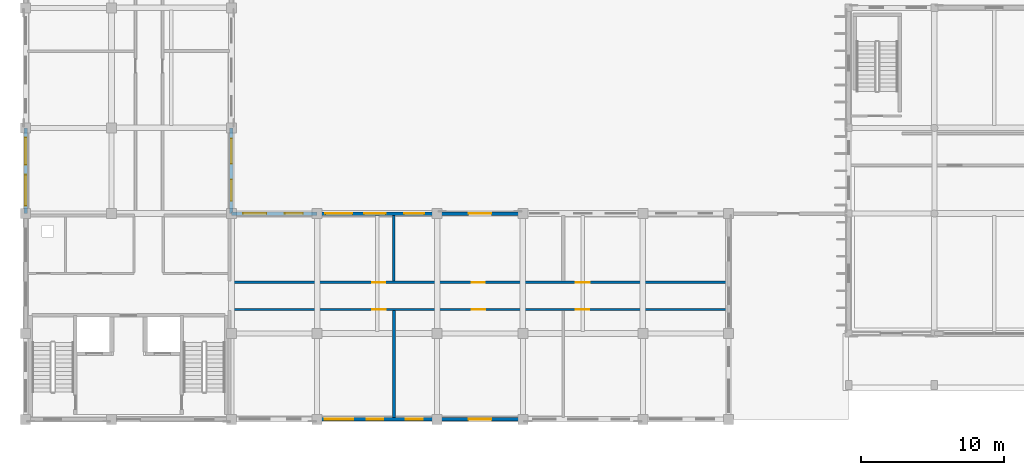
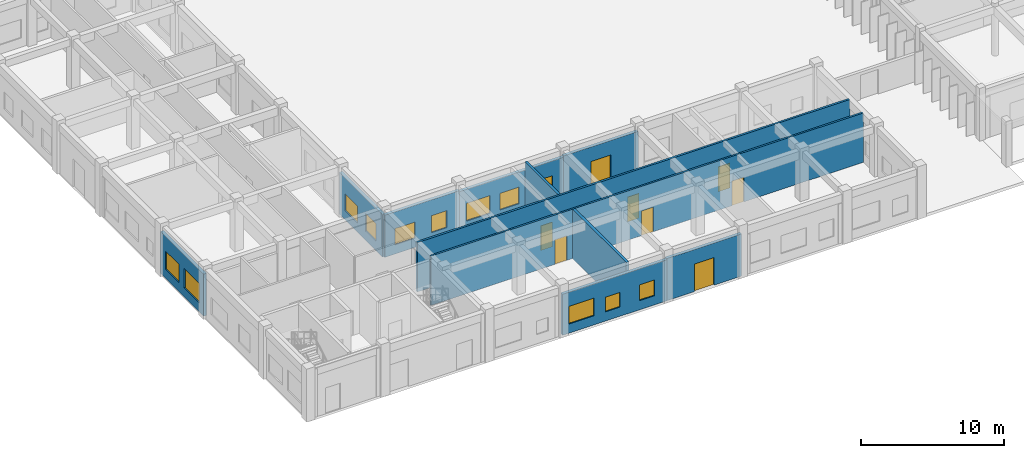
# One storey, part 27 of 67: 12 windows, 11 walls, 8 doors, 20 openings.
"""IFC4 building model written with IfcOpenShell, lengths in metres."""

from ifc_helpers import new_model, si_unit, direction, frame, frame_2d, origin, place, context, subcontext, project, spatial, rectangle, extrude, material, layer, layer_set, type_object, element, fill, save


model = new_model("IFC4")

# Units and contexts
model_context = context("Model", 3, precision=1e-05, world=origin(), true_north=direction((0.0, 1.0)))
body_context = subcontext(model_context, "Body", "Model", "MODEL_VIEW")
ifc_project = project(units=[si_unit("LENGTHUNIT", "METRE"), si_unit("AREAUNIT", "SQUARE_METRE"), si_unit("VOLUMEUNIT", "CUBIC_METRE"), si_unit("PLANEANGLEUNIT", "RADIAN"), si_unit("MASSUNIT", "GRAM", prefix="KILO"), si_unit("THERMODYNAMICTEMPERATUREUNIT", "KELVIN")], contexts=[model_context])

# Site, building, storey
site_placement = place(None, origin())
site = spatial("IfcSite", under=ifc_project, at=site_placement, CompositionType="ELEMENT")
building_placement = place(site_placement, origin())
building = spatial("IfcBuilding", under=site, at=building_placement, Name="Thalorik Housing Commons", CompositionType="ELEMENT")
storey_placement = place(building_placement, origin())
storey = spatial("IfcBuildingStorey", under=building, at=storey_placement, Name="L00", CompositionType="ELEMENT", Elevation=0.0)

# Wall, openings, doors
ifc_material_1 = material(Name="Masonry fire-rated corridor wall", Category="masonry")
ifc_layer_1 = layer(ifc_material_1, 0.14990234375, Name="Masonry fire-rated corridor wall", Category="masonry")
ifc_layer_set_1 = layer_set([ifc_layer_1], Name="Masonry fire-rated corridor wall")
wall_type_1 = type_object("IfcWallType", Name="ARC-WAL-CORR-150", PredefinedType="PARTITIONING", material=ifc_layer_set_1)
wall_1_placement = place(storey_placement, frame((22.659912109375, 16.080078125, 0.0), z_axis=(0.0, 0.0, 1.0), x_axis=(1.0, 0.0, 0.0)))
wall_1 = element("IfcWall", 1, at=wall_1_placement, inside=storey, type_object=wall_type_1, Name="L00 Block C S Corridor Wall 1", PredefinedType="PARTITIONING", context=body_context, shape_type="SweptSolid", body=[
    extrude(rectangle(XDim=34.815673828125, YDim=0.14990234375, at=frame_2d((17.40771484375, 0.0))), origin(), (0.0, 0.0, 1.0), 4.199951171875),
])
opening_1_placement = place(wall_1_placement, frame((9.99560546875, 0.0, 0.0)))
opening_1 = element("IfcOpeningElement", 2, at=opening_1_placement, cuts=wall_1, Name="Opening ID-1580", PredefinedType="OPENING", context=body_context, shape_type="SweptSolid", body=[
    extrude(rectangle(XDim=0.949951171875, YDim=2.10009765625, at=frame_2d((0.47509765625, 1.050048828125))), frame((0.0, 0.0849609375, 0.0), z_axis=(0.0, -1.0, 0.0), x_axis=(1.0, 0.0, 0.0)), (0.0, 0.0, 1.0), 0.169921875),
])
opening_2_placement = place(wall_1_placement, frame((16.965087890625, 0.0, 0.0)))
opening_2 = element("IfcOpeningElement", 3, at=opening_2_placement, cuts=wall_1, Name="Opening ID-1581", PredefinedType="OPENING", context=body_context, shape_type="SweptSolid", body=[
    extrude(rectangle(XDim=0.949951171875, YDim=2.10009765625, at=frame_2d((0.47509765625, 1.050048828125))), frame((0.0, 0.0849609375, 0.0), z_axis=(0.0, -1.0, 0.0), x_axis=(1.0, 0.0, 0.0)), (0.0, 0.0, 1.0), 0.169921875),
])
opening_3_placement = place(wall_1_placement, frame((24.248779296875, 0.0, 0.0)))
opening_3 = element("IfcOpeningElement", 4, at=opening_3_placement, cuts=wall_1, Name="Opening ID-1582", PredefinedType="OPENING", context=body_context, shape_type="SweptSolid", body=[
    extrude(rectangle(XDim=0.949951171875, YDim=2.10009765625, at=frame_2d((0.47509765625, 1.050048828125))), frame((0.0, 0.0849609375, 0.0), z_axis=(0.0, -1.0, 0.0), x_axis=(1.0, 0.0, 0.0)), (0.0, 0.0, 1.0), 0.169921875),
])
ifc_material_2 = material(Name="Steel S355", Category="steel")
door_type_1 = type_object("IfcDoorType", Name="ARC-DR-FD60-950", OperationType="NOTDEFINED", PredefinedType="DOOR", material=ifc_material_2)
door_1_placement = place(opening_1_placement, origin())
door_1 = element("IfcDoor", 5, at=door_1_placement, inside=storey, type_object=door_type_1, Name="L00 Residents Lounge Entrance Door", OperationType="SINGLE_SWING_LEFT", OverallHeight=2.10009765625, OverallWidth=0.949951171875, PredefinedType="DOOR", context=body_context, shape_type="SweptSolid", body=[
    extrude(rectangle(XDim=0.949951171875, YDim=2.10009765625, at=frame_2d((0.47509765625, 1.050048828125))), frame((0.0, 0.02490234375, 0.0), z_axis=(0.0, -1.0, 0.0), x_axis=(1.0, 0.0, 0.0)), (0.0, 0.0, 1.0), 0.050048828125),
])
fill(opening_1, door_1)
door_2_placement = place(opening_2_placement, origin())
door_2 = element("IfcDoor", 6, at=door_2_placement, inside=storey, type_object=door_type_1, Name="L00 Bicycle Repair Workshop Entrance Door", OperationType="SINGLE_SWING_RIGHT", OverallHeight=2.10009765625, OverallWidth=0.949951171875, PredefinedType="DOOR", context=body_context, shape_type="SweptSolid", body=[
    extrude(rectangle(XDim=0.949951171875, YDim=2.10009765625, at=frame_2d((0.47509765625, 1.050048828125))), frame((0.0, 0.02490234375, 0.0), z_axis=(0.0, -1.0, 0.0), x_axis=(1.0, 0.0, 0.0)), (0.0, 0.0, 1.0), 0.050048828125),
])
fill(opening_2, door_2)
door_3_placement = place(opening_3_placement, origin())
door_3 = element("IfcDoor", 7, at=door_3_placement, inside=storey, type_object=door_type_1, Name="L00 Cooperative Parcel Room Entrance Door", OperationType="SINGLE_SWING_LEFT", OverallHeight=2.10009765625, OverallWidth=0.949951171875, PredefinedType="DOOR", context=body_context, shape_type="SweptSolid", body=[
    extrude(rectangle(XDim=0.949951171875, YDim=2.10009765625, at=frame_2d((0.47509765625, 1.050048828125))), frame((0.0, 0.02490234375, 0.0), z_axis=(0.0, -1.0, 0.0), x_axis=(1.0, 0.0, 0.0)), (0.0, 0.0, 1.0), 0.050048828125),
])
fill(opening_3, door_3)

ifc_layer_2 = layer(ifc_material_1, 0.1650390625, Name="Masonry fire-rated corridor wall", Category="masonry")
ifc_layer_set_2 = layer_set([ifc_layer_2], Name="Masonry fire-rated corridor wall")
wall_type_2 = type_object("IfcWallType", Name="ARC-WAL-CORR-165", PredefinedType="PARTITIONING", material=ifc_layer_set_2)
wall_2_placement = place(storey_placement, frame((22.659912109375, 17.97998046875, 0.0), z_axis=(0.0, 0.0, 1.0), x_axis=(1.0, 0.0, 0.0)))
wall_2 = element("IfcWall", 8, at=wall_2_placement, inside=storey, type_object=wall_type_2, Name="L00 Block C S Corridor Wall 2", PredefinedType="PARTITIONING", context=body_context, shape_type="SweptSolid", body=[
    extrude(rectangle(XDim=34.815673828125, YDim=0.1650390625, at=frame_2d((17.40771484375, 0.0))), origin(), (0.0, 0.0, 1.0), 4.199951171875),
])
opening_4_placement = place(wall_2_placement, frame((9.98583984375, 0.0, 0.0)))
opening_4 = element("IfcOpeningElement", 9, at=opening_4_placement, cuts=wall_2, Name="Opening ID-1583", PredefinedType="OPENING", context=body_context, shape_type="SweptSolid", body=[
    extrude(rectangle(XDim=0.919921875, YDim=2.10009765625, at=frame_2d((0.4599609375, 1.050048828125))), frame((0.0, 0.092529296875, 0.0), z_axis=(0.0, -1.0, 0.0), x_axis=(1.0, 0.0, 0.0)), (0.0, 0.0, 1.0), 0.18505859375),
])
opening_5_placement = place(wall_2_placement, frame((16.9599609375, 0.0, 0.0)))
opening_5 = element("IfcOpeningElement", 10, at=opening_5_placement, cuts=wall_2, Name="Opening ID-1584", PredefinedType="OPENING", context=body_context, shape_type="SweptSolid", body=[
    extrude(rectangle(XDim=0.919921875, YDim=2.10009765625, at=frame_2d((0.4599609375, 1.050048828125))), frame((0.0, 0.092529296875, 0.0), z_axis=(0.0, -1.0, 0.0), x_axis=(1.0, 0.0, 0.0)), (0.0, 0.0, 1.0), 0.18505859375),
])
opening_6_placement = place(wall_2_placement, frame((24.248046875, 0.0, 0.0)))
opening_6 = element("IfcOpeningElement", 11, at=opening_6_placement, cuts=wall_2, Name="Opening ID-1585", PredefinedType="OPENING", context=body_context, shape_type="SweptSolid", body=[
    extrude(rectangle(XDim=0.9599609375, YDim=2.1201171875, at=frame_2d((0.47998046875, 1.06005859375))), frame((0.0, 0.092529296875, 0.0), z_axis=(0.0, -1.0, 0.0), x_axis=(1.0, 0.0, 0.0)), (0.0, 0.0, 1.0), 0.18505859375),
])
ifc_material_3 = material(Name="Solid core hardwood timber", Category="wood")
door_type_2 = type_object("IfcDoorType", Name="ARC-DR-FD30-920", OperationType="NOTDEFINED", PredefinedType="DOOR", material=ifc_material_3)
door_4_placement = place(opening_4_placement, origin())
door_4 = element("IfcDoor", 12, at=door_4_placement, inside=storey, type_object=door_type_2, Name="L00 Residents Cooperative Library Door", OperationType="SINGLE_SWING_RIGHT", OverallHeight=2.10009765625, OverallWidth=0.919921875, PredefinedType="DOOR", context=body_context, shape_type="SweptSolid", body=[
    extrude(rectangle(XDim=0.919921875, YDim=2.10009765625, at=frame_2d((0.4599609375, 1.050048828125))), frame((0.0, 0.02490234375, 0.0), z_axis=(0.0, -1.0, 0.0), x_axis=(1.0, 0.0, 0.0)), (0.0, 0.0, 1.0), 0.050048828125),
])
fill(opening_4, door_4)
door_5_placement = place(opening_5_placement, origin())
door_5 = element("IfcDoor", 13, at=door_5_placement, inside=storey, type_object=door_type_2, Name="L00 Community Youth Studio Door", OperationType="SINGLE_SWING_LEFT", OverallHeight=2.10009765625, OverallWidth=0.919921875, PredefinedType="DOOR", context=body_context, shape_type="SweptSolid", body=[
    extrude(rectangle(XDim=0.919921875, YDim=2.10009765625, at=frame_2d((0.4599609375, 1.050048828125))), frame((0.0, 0.02490234375, 0.0), z_axis=(0.0, -1.0, 0.0), x_axis=(1.0, 0.0, 0.0)), (0.0, 0.0, 1.0), 0.050048828125),
])
fill(opening_5, door_5)
door_type_3 = type_object("IfcDoorType", Name="ARC-DR-FD30-960", OperationType="NOTDEFINED", PredefinedType="DOOR", material=ifc_material_3)
door_6_placement = place(opening_6_placement, origin())
door_6 = element("IfcDoor", 14, at=door_6_placement, inside=storey, type_object=door_type_3, Name="L00 Senior Day Lounge Door", OperationType="SINGLE_SWING_RIGHT", OverallHeight=2.1201171875, OverallWidth=0.9599609375, PredefinedType="DOOR", context=body_context, shape_type="SweptSolid", body=[
    extrude(rectangle(XDim=0.9599609375, YDim=2.1201171875, at=frame_2d((0.47998046875, 1.06005859375))), frame((0.0, 0.02490234375, 0.0), z_axis=(0.0, -1.0, 0.0), x_axis=(1.0, 0.0, 0.0)), (0.0, 0.0, 1.0), 0.050048828125),
])
fill(opening_6, door_6)

# Wall, openings, windows
ifc_material_4 = material(Name="White precast concrete C40/50", Category="concrete")
ifc_layer_3 = layer(ifc_material_4, 0.2451171875, Name="White precast concrete C40/50", Category="concrete")
ifc_layer_set_3 = layer_set([ifc_layer_3], Name="White precast concrete C40/50")
wall_type_3 = type_object("IfcWallType", Name="ARC-WAL-EXT-245", PredefinedType="STANDARD", material=ifc_layer_set_3)
wall_3_placement = place(storey_placement, frame((22.800048828125, 22.800048828125, 0.0), z_axis=(0.0, 0.0, 1.0), x_axis=(0.0, 1.0, 0.0)))
wall_3 = element("IfcWall", 15, at=wall_3_placement, inside=storey, type_object=wall_type_3, Name="L00 Exterior Wall WAL-EXT-L00-C-0821", PredefinedType="STANDARD", context=body_context, shape_type="SweptSolid", body=[
    extrude(rectangle(XDim=6.0, YDim=0.2451171875, at=frame_2d((3.0, 0.0))), origin(), (0.0, 0.0, 1.0), 3.5849609375),
])
opening_7_placement = place(wall_3_placement, frame((0.8798828125, 0.0, 0.780029296875)))
opening_7 = element("IfcOpeningElement", 16, at=opening_7_placement, cuts=wall_3, Name="Opening W-10", PredefinedType="OPENING", context=body_context, shape_type="SweptSolid", body=[
    extrude(rectangle(XDim=1.5, YDim=1.5, at=frame_2d((0.75, 0.75))), frame((0.0, 0.132568359375, 0.0), z_axis=(0.0, -1.0, 0.0), x_axis=(1.0, 0.0, 0.0)), (0.0, 0.0, 1.0), 0.26513671875),
])
opening_8_placement = place(wall_3_placement, frame((3.4951171875, 0.0, 0.780029296875)))
opening_8 = element("IfcOpeningElement", 17, at=opening_8_placement, cuts=wall_3, Name="Opening W-17", PredefinedType="OPENING", context=body_context, shape_type="SweptSolid", body=[
    extrude(rectangle(XDim=1.75, YDim=1.449951171875, at=frame_2d((0.875, 0.72509765625))), frame((0.0, 0.132568359375, 0.0), z_axis=(0.0, -1.0, 0.0), x_axis=(1.0, 0.0, 0.0)), (0.0, 0.0, 1.0), 0.26513671875),
])
ifc_material_5 = material(Name="Anodised aluminium and solar-control low-E glass", Category="aluminium")
window_type_1 = type_object("IfcWindowType", Name="ARC-WIN-10", PartitioningType="SINGLE_PANEL", PredefinedType="WINDOW", material=ifc_material_5)
window_1_placement = place(opening_7_placement, origin())
window_1 = element("IfcWindow", 18, at=window_1_placement, inside=storey, type_object=window_type_1, Name="L00 Facade Window 1520", OverallHeight=1.5, OverallWidth=1.5, PartitioningType="SINGLE_PANEL", PredefinedType="WINDOW", context=body_context, shape_type="SweptSolid", body=[
    extrude(rectangle(XDim=1.5, YDim=1.5, at=frame_2d((0.75, 0.75))), frame((0.0, 0.030029296875, 0.0), z_axis=(0.0, -1.0, 0.0), x_axis=(1.0, 0.0, 0.0)), (0.0, 0.0, 1.0), 0.06005859375),
])
fill(opening_7, window_1)
window_type_2 = type_object("IfcWindowType", Name="ARC-WIN-17", PartitioningType="DOUBLE_PANEL_VERTICAL", PredefinedType="WINDOW", material=ifc_material_5)
window_2_placement = place(opening_8_placement, origin())
window_2 = element("IfcWindow", 19, at=window_2_placement, inside=storey, type_object=window_type_2, Name="L00 Facade Window 1521", OverallHeight=1.449951171875, OverallWidth=1.75, PartitioningType="DOUBLE_PANEL_VERTICAL", PredefinedType="WINDOW", context=body_context, shape_type="SweptSolid", body=[
    extrude(rectangle(XDim=1.75, YDim=1.449951171875, at=frame_2d((0.875, 0.72509765625))), frame((0.0, 0.030029296875, 0.0), z_axis=(0.0, -1.0, 0.0), x_axis=(1.0, 0.0, 0.0)), (0.0, 0.0, 1.0), 0.06005859375),
])
fill(opening_8, window_2)

wall_4_placement = place(storey_placement, frame((8.39990234375, 28.800048828125, 0.0), z_axis=(0.0, 0.0, 1.0), x_axis=(0.0, -1.0, 0.0)))
wall_4 = element("IfcWall", 20, at=wall_4_placement, inside=storey, type_object=wall_type_3, Name="L00 Exterior Wall WAL-EXT-L00-C-0832", PredefinedType="STANDARD", context=body_context, shape_type="SweptSolid", body=[
    extrude(rectangle(XDim=6.0, YDim=0.2451171875, at=frame_2d((3.0, 0.0))), origin(), (0.0, 0.0, 1.0), 3.5849609375),
])
opening_9_placement = place(wall_4_placement, frame((0.679931640625, 0.0, 0.780029296875)))
opening_9 = element("IfcOpeningElement", 21, at=opening_9_placement, cuts=wall_4, Name="Opening W-21", PredefinedType="OPENING", context=body_context, shape_type="SweptSolid", body=[
    extrude(rectangle(XDim=1.89990234375, YDim=1.550048828125, at=frame_2d((0.949951171875, 0.77490234375))), frame((0.0, 0.132568359375, 0.0), z_axis=(0.0, -1.0, 0.0), x_axis=(1.0, 0.0, 0.0)), (0.0, 0.0, 1.0), 0.26513671875),
])
opening_10_placement = place(wall_4_placement, frame((3.294921875, 0.0, 0.780029296875)))
opening_10 = element("IfcOpeningElement", 22, at=opening_10_placement, cuts=wall_4, Name="Opening W-28", PredefinedType="OPENING", context=body_context, shape_type="SweptSolid", body=[
    extrude(rectangle(XDim=2.14990234375, YDim=1.64990234375, at=frame_2d((1.074951171875, 0.824951171875))), frame((0.0, 0.132568359375, 0.0), z_axis=(0.0, -1.0, 0.0), x_axis=(1.0, 0.0, 0.0)), (0.0, 0.0, 1.0), 0.26513671875),
])
window_type_3 = type_object("IfcWindowType", Name="ARC-WIN-21", PartitioningType="DOUBLE_PANEL_VERTICAL", PredefinedType="WINDOW", material=ifc_material_5)
window_3_placement = place(opening_9_placement, origin())
window_3 = element("IfcWindow", 23, at=window_3_placement, inside=storey, type_object=window_type_3, Name="L00 Facade Window 1543", OverallHeight=1.550048828125, OverallWidth=1.89990234375, PartitioningType="DOUBLE_PANEL_VERTICAL", PredefinedType="WINDOW", context=body_context, shape_type="SweptSolid", body=[
    extrude(rectangle(XDim=1.89990234375, YDim=1.550048828125, at=frame_2d((0.949951171875, 0.77490234375))), frame((0.0, 0.030029296875, 0.0), z_axis=(0.0, -1.0, 0.0), x_axis=(1.0, 0.0, 0.0)), (0.0, 0.0, 1.0), 0.06005859375),
])
fill(opening_9, window_3)
window_type_4 = type_object("IfcWindowType", Name="ARC-WIN-28", PartitioningType="DOUBLE_PANEL_VERTICAL", PredefinedType="WINDOW", material=ifc_material_5)
window_4_placement = place(opening_10_placement, origin())
window_4 = element("IfcWindow", 24, at=window_4_placement, inside=storey, type_object=window_type_4, Name="L00 Facade Window 1544", OverallHeight=1.64990234375, OverallWidth=2.14990234375, PartitioningType="DOUBLE_PANEL_VERTICAL", PredefinedType="WINDOW", context=body_context, shape_type="SweptSolid", body=[
    extrude(rectangle(XDim=2.14990234375, YDim=1.64990234375, at=frame_2d((1.074951171875, 0.824951171875))), frame((0.0, 0.030029296875, 0.0), z_axis=(0.0, -1.0, 0.0), x_axis=(1.0, 0.0, 0.0)), (0.0, 0.0, 1.0), 0.06005859375),
])
fill(opening_10, window_4)

wall_5_placement = place(storey_placement, frame((28.800048828125, 8.39990234375, 0.0), z_axis=(0.0, 0.0, 1.0), x_axis=(1.0, 0.0, 0.0)))
wall_5 = element("IfcWall", 25, at=wall_5_placement, inside=storey, type_object=wall_type_3, Name="L00 Exterior Wall WAL-EXT-L00-C-0838", PredefinedType="STANDARD", context=body_context, shape_type="SweptSolid", body=[
    extrude(rectangle(XDim=8.39990234375, YDim=0.2451171875, at=frame_2d((4.199951171875, 0.0))), origin(), (0.0, 0.0, 1.0), 3.485107421875),
])
opening_11_placement = place(wall_5_placement, frame((0.52001953125, 0.0, 0.780029296875)))
opening_11 = element("IfcOpeningElement", 26, at=opening_11_placement, cuts=wall_5, Name="Opening W-23", PredefinedType="OPENING", context=body_context, shape_type="SweptSolid", body=[
    extrude(rectangle(XDim=2.0, YDim=1.5, at=frame_2d((1.0, 0.75))), frame((0.0, 0.132568359375, 0.0), z_axis=(0.0, -1.0, 0.0), x_axis=(1.0, 0.0, 0.0)), (0.0, 0.0, 1.0), 0.26513671875),
])
opening_12_placement = place(wall_5_placement, frame((3.465087890625, 0.0, 0.780029296875)))
opening_12 = element("IfcOpeningElement", 27, at=opening_12_placement, cuts=wall_5, Name="Opening W-45", PredefinedType="OPENING", context=body_context, shape_type="SweptSolid", body=[
    extrude(rectangle(XDim=1.14990234375, YDim=1.25, at=frame_2d((0.574951171875, 0.625))), frame((0.0, 0.132568359375, 0.0), z_axis=(0.0, -1.0, 0.0), x_axis=(1.0, 0.0, 0.0)), (0.0, 0.0, 1.0), 0.26513671875),
])
opening_13_placement = place(wall_5_placement, frame((6.18994140625, 0.0, 0.780029296875)))
opening_13 = element("IfcOpeningElement", 28, at=opening_13_placement, cuts=wall_5, Name="Opening W-04", PredefinedType="OPENING", context=body_context, shape_type="SweptSolid", body=[
    extrude(rectangle(XDim=1.199951171875, YDim=1.35009765625, at=frame_2d((0.60009765625, 0.675048828125))), frame((0.0, 0.132568359375, 0.0), z_axis=(0.0, -1.0, 0.0), x_axis=(1.0, 0.0, 0.0)), (0.0, 0.0, 1.0), 0.26513671875),
])
window_type_5 = type_object("IfcWindowType", Name="ARC-WIN-04", PartitioningType="SINGLE_PANEL", PredefinedType="WINDOW", material=ifc_material_5)
window_5_placement = place(opening_13_placement, origin())
window_5 = element("IfcWindow", 29, at=window_5_placement, inside=storey, type_object=window_type_5, Name="L00 Facade Window 1553", OverallHeight=1.35009765625, OverallWidth=1.199951171875, PartitioningType="SINGLE_PANEL", PredefinedType="WINDOW", context=body_context, shape_type="SweptSolid", body=[
    extrude(rectangle(XDim=1.199951171875, YDim=1.35009765625, at=frame_2d((0.60009765625, 0.675048828125))), frame((0.0, 0.030029296875, 0.0), z_axis=(0.0, -1.0, 0.0), x_axis=(1.0, 0.0, 0.0)), (0.0, 0.0, 1.0), 0.06005859375),
])
fill(opening_13, window_5)
window_type_6 = type_object("IfcWindowType", Name="ARC-WIN-23", PartitioningType="DOUBLE_PANEL_VERTICAL", PredefinedType="WINDOW", material=ifc_material_5)
window_6_placement = place(opening_11_placement, origin())
window_6 = element("IfcWindow", 30, at=window_6_placement, inside=storey, type_object=window_type_6, Name="L00 Facade Window 1551", OverallHeight=1.5, OverallWidth=2.0, PartitioningType="DOUBLE_PANEL_VERTICAL", PredefinedType="WINDOW", context=body_context, shape_type="SweptSolid", body=[
    extrude(rectangle(XDim=2.0, YDim=1.5, at=frame_2d((1.0, 0.75))), frame((0.0, 0.030029296875, 0.0), z_axis=(0.0, -1.0, 0.0), x_axis=(1.0, 0.0, 0.0)), (0.0, 0.0, 1.0), 0.06005859375),
])
fill(opening_11, window_6)
window_type_7 = type_object("IfcWindowType", Name="ARC-WIN-45", PartitioningType="SINGLE_PANEL", PredefinedType="WINDOW", material=ifc_material_5)
window_7_placement = place(opening_12_placement, origin())
window_7 = element("IfcWindow", 31, at=window_7_placement, inside=storey, type_object=window_type_7, Name="L00 Facade Window 1552", OverallHeight=1.25, OverallWidth=1.14990234375, PartitioningType="SINGLE_PANEL", PredefinedType="WINDOW", context=body_context, shape_type="SweptSolid", body=[
    extrude(rectangle(XDim=1.14990234375, YDim=1.25, at=frame_2d((0.574951171875, 0.625))), frame((0.0, 0.030029296875, 0.0), z_axis=(0.0, -1.0, 0.0), x_axis=(1.0, 0.0, 0.0)), (0.0, 0.0, 1.0), 0.06005859375),
])
fill(opening_12, window_7)

# Wall, opening, door
wall_6_placement = place(storey_placement, frame((37.199951171875, 8.39990234375, 0.0), z_axis=(0.0, 0.0, 1.0), x_axis=(1.0, 0.0, 0.0)))
wall_6 = element("IfcWall", 32, at=wall_6_placement, inside=storey, type_object=wall_type_3, Name="L00 Exterior Wall WAL-EXT-L00-C-0839", PredefinedType="STANDARD", context=body_context, shape_type="SweptSolid", body=[
    extrude(rectangle(XDim=6.0, YDim=0.2451171875, at=frame_2d((3.0, 0.0))), origin(), (0.0, 0.0, 1.0), 3.5849609375),
])
opening_14_placement = place(wall_6_placement, frame((2.199951171875, 0.0, 0.0)))
opening_14 = element("IfcOpeningElement", 33, at=opening_14_placement, cuts=wall_6, Name="Opening ED-0286", PredefinedType="OPENING", context=body_context, shape_type="SweptSolid", body=[
    extrude(rectangle(XDim=1.60009765625, YDim=2.35009765625, at=frame_2d((0.800048828125, 1.175048828125))), frame((0.0, 0.132568359375, 0.0), z_axis=(0.0, -1.0, 0.0), x_axis=(1.0, 0.0, 0.0)), (0.0, 0.0, 1.0), 0.26513671875),
])
ifc_material_6 = material(Name="Anodised aluminium and laminated safety glass", Category="aluminium")
door_type_4 = type_object("IfcDoorType", Name="ARC-DR-EXT-LOB-1600", OperationType="NOTDEFINED", PredefinedType="DOOR", material=ifc_material_6)
door_7_placement = place(opening_14_placement, frame((1.60009765625, 0.0, 0.0), z_axis=(0.0, 0.0, 1.0), x_axis=(-1.0, 0.0, 0.0)))
door_7 = element("IfcDoor", 34, at=door_7_placement, inside=storey, type_object=door_type_4, Name="L00 Block C Courtyard Entrance Door", OperationType="DOUBLE_DOOR_SINGLE_SWING", OverallHeight=2.35009765625, OverallWidth=1.60009765625, PredefinedType="DOOR", context=body_context, shape_type="SweptSolid", body=[
    extrude(rectangle(XDim=1.60009765625, YDim=2.35009765625, at=frame_2d((0.800048828125, 1.175048828125))), frame((0.0, 0.02490234375, 0.0), z_axis=(0.0, -1.0, 0.0), x_axis=(1.0, 0.0, 0.0)), (0.0, 0.0, 1.0), 0.050048828125),
])
fill(opening_14, door_7)

wall_7_placement = place(storey_placement, frame((43.199951171875, 22.800048828125, 0.0), z_axis=(0.0, 0.0, 1.0), x_axis=(-1.0, 0.0, 0.0)))
wall_7 = element("IfcWall", 35, at=wall_7_placement, inside=storey, type_object=wall_type_3, Name="L00 Exterior Wall WAL-EXT-L00-C-0846", PredefinedType="STANDARD", context=body_context, shape_type="SweptSolid", body=[
    extrude(rectangle(XDim=6.0, YDim=0.2451171875, at=frame_2d((3.0, 0.0))), origin(), (0.0, 0.0, 1.0), 3.5849609375),
])
opening_15_placement = place(wall_7_placement, frame((2.199951171875, 0.0, 0.0)))
opening_15 = element("IfcOpeningElement", 36, at=opening_15_placement, cuts=wall_7, Name="Opening ED-0287", PredefinedType="OPENING", context=body_context, shape_type="SweptSolid", body=[
    extrude(rectangle(XDim=1.60009765625, YDim=2.35009765625, at=frame_2d((0.800048828125, 1.175048828125))), frame((0.0, 0.132568359375, 0.0), z_axis=(0.0, -1.0, 0.0), x_axis=(1.0, 0.0, 0.0)), (0.0, 0.0, 1.0), 0.26513671875),
])
door_8_placement = place(opening_15_placement, frame((1.60009765625, 0.0, 0.0), z_axis=(0.0, 0.0, 1.0), x_axis=(-1.0, 0.0, 0.0)))
door_8 = element("IfcDoor", 37, at=door_8_placement, inside=storey, type_object=door_type_4, Name="L00 Block C Courtyard Entrance Door", OperationType="DOUBLE_DOOR_SINGLE_SWING", OverallHeight=2.35009765625, OverallWidth=1.60009765625, PredefinedType="DOOR", context=body_context, shape_type="SweptSolid", body=[
    extrude(rectangle(XDim=1.60009765625, YDim=2.35009765625, at=frame_2d((0.800048828125, 1.175048828125))), frame((0.0, 0.02490234375, 0.0), z_axis=(0.0, -1.0, 0.0), x_axis=(1.0, 0.0, 0.0)), (0.0, 0.0, 1.0), 0.050048828125),
])
fill(opening_15, door_8)

# Wall, openings, windows
wall_8_placement = place(storey_placement, frame((37.199951171875, 22.800048828125, 0.0), z_axis=(0.0, 0.0, 1.0), x_axis=(-1.0, 0.0, 0.0)))
wall_8 = element("IfcWall", 38, at=wall_8_placement, inside=storey, type_object=wall_type_3, Name="L00 Exterior Wall WAL-EXT-L00-C-0847", PredefinedType="STANDARD", context=body_context, shape_type="SweptSolid", body=[
    extrude(rectangle(XDim=8.39990234375, YDim=0.2451171875, at=frame_2d((4.199951171875, 0.0))), origin(), (0.0, 0.0, 1.0), 3.485107421875),
])
opening_16_placement = place(wall_8_placement, frame((0.909912109375, 0.0, 0.780029296875)))
opening_16 = element("IfcOpeningElement", 39, at=opening_16_placement, cuts=wall_8, Name="Opening W-08", PredefinedType="OPENING", context=body_context, shape_type="SweptSolid", body=[
    extrude(rectangle(XDim=1.39990234375, YDim=1.449951171875, at=frame_2d((0.699951171875, 0.72509765625))), frame((0.0, 0.132568359375, 0.0), z_axis=(0.0, -1.0, 0.0), x_axis=(1.0, 0.0, 0.0)), (0.0, 0.0, 1.0), 0.26513671875),
])
opening_17_placement = place(wall_8_placement, frame((3.60009765625, 0.0, 0.780029296875)))
opening_17 = element("IfcOpeningElement", 40, at=opening_17_placement, cuts=wall_8, Name="Opening W-52", PredefinedType="OPENING", context=body_context, shape_type="SweptSolid", body=[
    extrude(rectangle(XDim=1.52001953125, YDim=1.419921875, at=frame_2d((0.760009765625, 0.7099609375))), frame((0.0, 0.132568359375, 0.0), z_axis=(0.0, -1.0, 0.0), x_axis=(1.0, 0.0, 0.0)), (0.0, 0.0, 1.0), 0.26513671875),
])
opening_18_placement = place(wall_8_placement, frame((5.93994140625, 0.0, 0.780029296875)))
opening_18 = element("IfcOpeningElement", 41, at=opening_18_placement, cuts=wall_8, Name="Opening W-59", PredefinedType="OPENING", context=body_context, shape_type="SweptSolid", body=[
    extrude(rectangle(XDim=1.8798828125, YDim=1.52001953125, at=frame_2d((0.93994140625, 0.760009765625))), frame((0.0, 0.132568359375, 0.0), z_axis=(0.0, -1.0, 0.0), x_axis=(1.0, 0.0, 0.0)), (0.0, 0.0, 1.0), 0.26513671875),
])
window_type_8 = type_object("IfcWindowType", Name="ARC-WIN-08", PartitioningType="SINGLE_PANEL", PredefinedType="WINDOW", material=ifc_material_5)
window_8_placement = place(opening_16_placement, origin())
window_8 = element("IfcWindow", 42, at=window_8_placement, inside=storey, type_object=window_type_8, Name="L00 Facade Window 1569", OverallHeight=1.449951171875, OverallWidth=1.39990234375, PartitioningType="SINGLE_PANEL", PredefinedType="WINDOW", context=body_context, shape_type="SweptSolid", body=[
    extrude(rectangle(XDim=1.39990234375, YDim=1.449951171875, at=frame_2d((0.699951171875, 0.72509765625))), frame((0.0, 0.030029296875, 0.0), z_axis=(0.0, -1.0, 0.0), x_axis=(1.0, 0.0, 0.0)), (0.0, 0.0, 1.0), 0.06005859375),
])
fill(opening_16, window_8)
window_type_9 = type_object("IfcWindowType", Name="ARC-WIN-52", PartitioningType="SINGLE_PANEL", PredefinedType="WINDOW", material=ifc_material_5)
window_9_placement = place(opening_17_placement, origin())
window_9 = element("IfcWindow", 43, at=window_9_placement, inside=storey, type_object=window_type_9, Name="L00 Facade Window 1570", OverallHeight=1.419921875, OverallWidth=1.52001953125, PartitioningType="SINGLE_PANEL", PredefinedType="WINDOW", context=body_context, shape_type="SweptSolid", body=[
    extrude(rectangle(XDim=1.52001953125, YDim=1.419921875, at=frame_2d((0.760009765625, 0.7099609375))), frame((0.0, 0.030029296875, 0.0), z_axis=(0.0, -1.0, 0.0), x_axis=(1.0, 0.0, 0.0)), (0.0, 0.0, 1.0), 0.06005859375),
])
fill(opening_17, window_9)
window_type_10 = type_object("IfcWindowType", Name="ARC-WIN-59", PartitioningType="DOUBLE_PANEL_VERTICAL", PredefinedType="WINDOW", material=ifc_material_5)
window_10_placement = place(opening_18_placement, origin())
window_10 = element("IfcWindow", 44, at=window_10_placement, inside=storey, type_object=window_type_10, Name="L00 Facade Window 1571", OverallHeight=1.52001953125, OverallWidth=1.8798828125, PartitioningType="DOUBLE_PANEL_VERTICAL", PredefinedType="WINDOW", context=body_context, shape_type="SweptSolid", body=[
    extrude(rectangle(XDim=1.8798828125, YDim=1.52001953125, at=frame_2d((0.93994140625, 0.760009765625))), frame((0.0, 0.030029296875, 0.0), z_axis=(0.0, -1.0, 0.0), x_axis=(1.0, 0.0, 0.0)), (0.0, 0.0, 1.0), 0.06005859375),
])
fill(opening_18, window_10)

wall_9_placement = place(storey_placement, frame((28.800048828125, 22.800048828125, 0.0), z_axis=(0.0, 0.0, 1.0), x_axis=(-1.0, 0.0, 0.0)))
wall_9 = element("IfcWall", 45, at=wall_9_placement, inside=storey, type_object=wall_type_3, Name="L00 Exterior Wall WAL-EXT-L00-C-0848", PredefinedType="STANDARD", context=body_context, shape_type="SweptSolid", body=[
    extrude(rectangle(XDim=6.0, YDim=0.2451171875, at=frame_2d((3.0, 0.0))), origin(), (0.0, 0.0, 1.0), 3.5849609375),
])
opening_19_placement = place(wall_9_placement, frame((1.0048828125, 0.0, 0.780029296875)))
opening_19 = element("IfcOpeningElement", 46, at=opening_19_placement, cuts=wall_9, Name="Opening W-47", PredefinedType="OPENING", context=body_context, shape_type="SweptSolid", body=[
    extrude(rectangle(XDim=1.25, YDim=1.449951171875, at=frame_2d((0.625, 0.72509765625))), frame((0.0, 0.132568359375, 0.0), z_axis=(0.0, -1.0, 0.0), x_axis=(1.0, 0.0, 0.0)), (0.0, 0.0, 1.0), 0.26513671875),
])
opening_20_placement = place(wall_9_placement, frame((3.56005859375, 0.0, 0.780029296875)))
opening_20 = element("IfcOpeningElement", 47, at=opening_20_placement, cuts=wall_9, Name="Opening W-54", PredefinedType="OPENING", context=body_context, shape_type="SweptSolid", body=[
    extrude(rectangle(XDim=1.6201171875, YDim=1.3798828125, at=frame_2d((0.81005859375, 0.68994140625))), frame((0.0, 0.132568359375, 0.0), z_axis=(0.0, -1.0, 0.0), x_axis=(1.0, 0.0, 0.0)), (0.0, 0.0, 1.0), 0.26513671875),
])
window_type_11 = type_object("IfcWindowType", Name="ARC-WIN-47", PartitioningType="SINGLE_PANEL", PredefinedType="WINDOW", material=ifc_material_5)
window_11_placement = place(opening_19_placement, origin())
window_11 = element("IfcWindow", 48, at=window_11_placement, inside=storey, type_object=window_type_11, Name="L00 Facade Window 1572", OverallHeight=1.449951171875, OverallWidth=1.25, PartitioningType="SINGLE_PANEL", PredefinedType="WINDOW", context=body_context, shape_type="SweptSolid", body=[
    extrude(rectangle(XDim=1.25, YDim=1.449951171875, at=frame_2d((0.625, 0.72509765625))), frame((0.0, 0.030029296875, 0.0), z_axis=(0.0, -1.0, 0.0), x_axis=(1.0, 0.0, 0.0)), (0.0, 0.0, 1.0), 0.06005859375),
])
fill(opening_19, window_11)
window_type_12 = type_object("IfcWindowType", Name="ARC-WIN-54", PartitioningType="DOUBLE_PANEL_VERTICAL", PredefinedType="WINDOW", material=ifc_material_5)
window_12_placement = place(opening_20_placement, origin())
window_12 = element("IfcWindow", 49, at=window_12_placement, inside=storey, type_object=window_type_12, Name="L00 Facade Window 1573", OverallHeight=1.3798828125, OverallWidth=1.6201171875, PartitioningType="DOUBLE_PANEL_VERTICAL", PredefinedType="WINDOW", context=body_context, shape_type="SweptSolid", body=[
    extrude(rectangle(XDim=1.6201171875, YDim=1.3798828125, at=frame_2d((0.81005859375, 0.68994140625))), frame((0.0, 0.030029296875, 0.0), z_axis=(0.0, -1.0, 0.0), x_axis=(1.0, 0.0, 0.0)), (0.0, 0.0, 1.0), 0.06005859375),
])
fill(opening_20, window_12)

# Walls
ifc_material_7 = material(Name="Masonry acoustic blockwork wall", Category="masonry")
ifc_layer_4 = layer(ifc_material_7, 0.18505859375, Name="Masonry acoustic blockwork wall", Category="masonry")
ifc_layer_set_4 = layer_set([ifc_layer_4], Name="Masonry acoustic blockwork wall")
wall_type_4 = type_object("IfcWallType", Name="ARC-WAL-PARTY-185", PredefinedType="PARTITIONING", material=ifc_layer_set_4)
wall_10_placement = place(storey_placement, frame((34.169921875, 18.064453125, 0.0), z_axis=(0.0, 0.0, 1.0), x_axis=(0.0, 1.0, 0.0)))
element("IfcWall", 50, at=wall_10_placement, inside=storey, type_object=wall_type_4, Name="L00 Inter-Tenancy Wall 1B", PredefinedType="PARTITIONING", context=body_context, shape_type="SweptSolid", body=[
    extrude(rectangle(XDim=4.611083984375, YDim=0.18505859375, at=frame_2d((2.3056640625, 0.0))), origin(), (0.0, 0.0, 1.0), 4.199951171875),
])
ifc_material_8 = material(Name="Precast concrete C40/50 acoustic wall", Category="concrete")
ifc_layer_5 = layer(ifc_material_8, 0.219970703125, Name="Precast concrete C40/50 acoustic wall", Category="concrete")
ifc_layer_set_5 = layer_set([ifc_layer_5], Name="Precast concrete C40/50 acoustic wall")
wall_type_5 = type_object("IfcWallType", Name="ARC-WAL-PARTY-220", PredefinedType="PARTITIONING", material=ifc_layer_set_5)
wall_11_placement = place(storey_placement, frame((34.169921875, 8.5244140625, 0.0), z_axis=(0.0, 0.0, 1.0), x_axis=(0.0, 1.0, 0.0)))
element("IfcWall", 51, at=wall_11_placement, inside=storey, type_object=wall_type_5, Name="L00 Inter-Tenancy Wall 1A", PredefinedType="PARTITIONING", context=body_context, shape_type="SweptSolid", body=[
    extrude(rectangle(XDim=7.478515625, YDim=0.219970703125, at=frame_2d((3.7392578125, 0.0))), origin(), (0.0, 0.0, 1.0), 4.199951171875),
])

save(model, "model.ifc")
